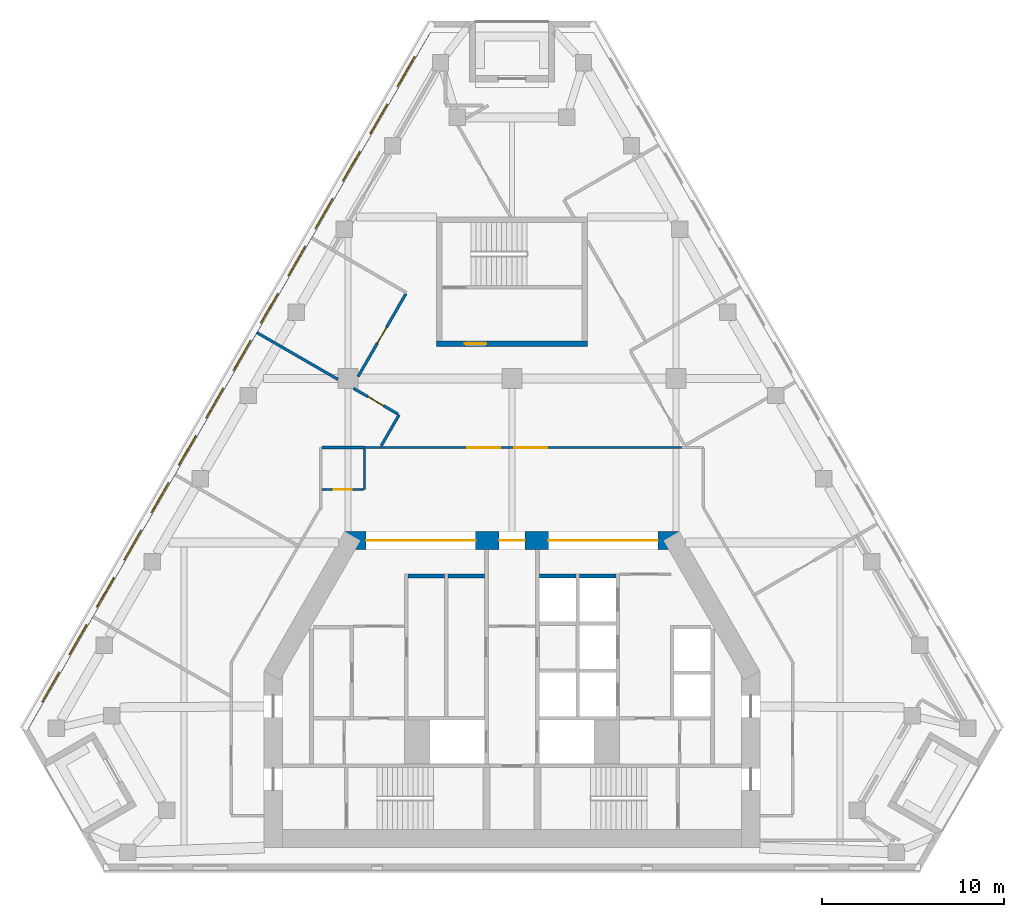
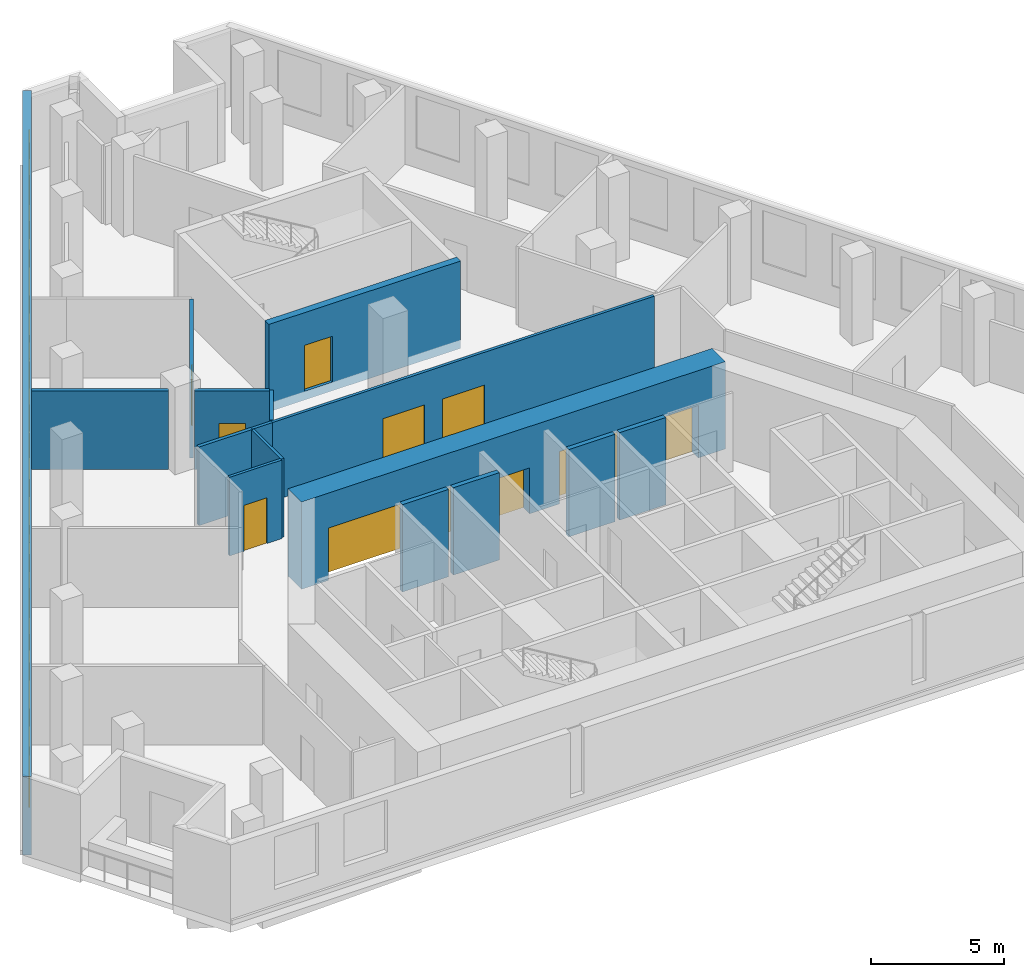
# One storey, part 4 of 8: 16 walls, 14 windows, 9 doors, 23 openings.
"""IFC4 building model written with IfcOpenShell, lengths in metres."""

from ifc_helpers import new_model, si_unit, direction, frame, frame_2d, origin, place, context, subcontext, project, spatial, rectangle, extrude, material, layer, layer_set, type_object, element, fill, save


model = new_model("IFC4")

# Units and contexts
model_context = context("Model", 3, precision=1e-05, world=origin(), true_north=direction((0.0, 1.0)))
body_context = subcontext(model_context, "Body", "Model", "MODEL_VIEW")
ifc_project = project(units=[si_unit("LENGTHUNIT", "METRE"), si_unit("AREAUNIT", "SQUARE_METRE"), si_unit("VOLUMEUNIT", "CUBIC_METRE"), si_unit("PLANEANGLEUNIT", "RADIAN"), si_unit("MASSUNIT", "GRAM", prefix="KILO")], contexts=[model_context])

# Site, building, storey
site_placement = place(None, origin())
site = spatial("IfcSite", under=ifc_project, at=site_placement, CompositionType="ELEMENT")
building_placement = place(site_placement, origin())
building = spatial("IfcBuilding", under=site, at=building_placement, Name="Fogline Exchange Tower", CompositionType="ELEMENT")
storey_placement = place(building_placement, frame((0.0, 0.0, 231.5)))
storey = spatial("IfcBuildingStorey", under=building, at=storey_placement, Name="L52", CompositionType="ELEMENT", Elevation=231.5)

# Walls
ifc_material_1 = material(Name="Concrete C40", Category="concrete")
ifc_layer_1 = layer(ifc_material_1, 0.199951171875)
ifc_layer_set_1 = layer_set([ifc_layer_1], Name="CW20S")
wall_type_1 = type_object("IfcWallType", Name="CW20S", PredefinedType="SOLIDWALL", material=ifc_layer_set_1)
for number, where, z_axis, x_axis, name in (
    (1, (-5.699951171875, 16.14990234375, -0.39990234375), (0.0, 0.0, 1.0), (1.0, 0.0, 0.0), "Lift shaft wall"),
    (2, (-3.5, 16.14990234375, -0.39990234375), (0.0, 0.0, 1.0), (1.0, 0.0, 0.0), "Lift shaft wall"),
    (3, (3.699951171875, 16.14990234375, -0.39990234375), (0.0, 0.0, 1.0), (1.0, 0.0, 0.0), "Lift shaft wall"),
    (4, (1.5, 16.14990234375, -0.39990234375), (0.0, 0.0, 1.0), (1.0, 0.0, 0.0), "Lift shaft wall"),
):
    element("IfcWall", number, at=place(storey_placement, frame(where, z_axis=z_axis, x_axis=x_axis)), inside=storey, type_object=wall_type_1, Name=name, PredefinedType="SOLIDWALL", context=body_context, shape_type="SweptSolid", body=[
        extrude(rectangle(XDim=2.0, YDim=0.199951171875, at=frame_2d((1.0, 0.0))), origin(), (0.0, 0.0, 1.0), 4.0),
    ])

# Wall, opening, door
ifc_layer_2 = layer(ifc_material_1, 0.300048828125)
ifc_layer_set_2 = layer_set([ifc_layer_2], Name="CW30")
wall_type_2 = type_object("IfcWallType", Name="CW30", PredefinedType="SOLIDWALL", material=ifc_layer_set_2)
wall_1_placement = place(storey_placement, frame((-4.14990234375, 28.906982421875, -0.39990234375), z_axis=(0.0, 0.0, 1.0), x_axis=(1.0, 0.0, 0.0)))
wall_1 = element("IfcWall", 5, at=wall_1_placement, inside=storey, type_object=wall_type_2, Name="Stair enclosure wall ST3", PredefinedType="SOLIDWALL", context=body_context, shape_type="SweptSolid", body=[
    extrude(rectangle(XDim=8.2998046875, YDim=0.300048828125, at=frame_2d((4.14990234375, 0.0))), origin(), (0.0, 0.0, 1.0), 4.0),
])
opening_1_placement = place(wall_1_placement, frame((1.550048828125, 0.0, 0.39990234375)))
opening_1 = element("IfcOpeningElement", 6, at=opening_1_placement, cuts=wall_1, Name="Opening T16-C022", PredefinedType="OPENING", context=body_context, shape_type="SweptSolid", body=[
    extrude(rectangle(XDim=1.199951171875, YDim=2.10009765625, at=frame_2d((0.60009765625, 1.050048828125))), frame((0.0, 0.16015625, 0.0), z_axis=(0.0, -1.0, 0.0), x_axis=(1.0, 0.0, 0.0)), (0.0, 0.0, 1.0), 0.320068359375),
])
ifc_material_2 = material(Name="Steel and timber fire door", Category="steel")
door_type_1 = type_object("IfcDoorType", Name="D-FR1", OperationType="SINGLE_SWING_RIGHT", PredefinedType="DOOR", material=ifc_material_2)
door_1_placement = place(opening_1_placement, origin())
door_1 = element("IfcDoor", 7, at=door_1_placement, inside=storey, type_object=door_type_1, Name="Front room door ST3", OperationType="SINGLE_SWING_LEFT", OverallHeight=2.10009765625, OverallWidth=1.199951171875, PredefinedType="DOOR", context=body_context, shape_type="SweptSolid", body=[
    extrude(rectangle(XDim=1.199951171875, YDim=2.10009765625, at=frame_2d((0.60009765625, 1.050048828125))), frame((0.0, 0.02490234375, 0.0), z_axis=(0.0, -1.0, 0.0), x_axis=(1.0, 0.0, 0.0)), (0.0, 0.0, 1.0), 0.050048828125),
])
fill(opening_1, door_1)

# Wall, openings, windows
ifc_material_3 = material(Name="Brick masonry", Category="masonry")
ifc_layer_3 = layer(ifc_material_3, 0.340087890625)
ifc_layer_set_3 = layer_set([ifc_layer_3], Name="FW1")
wall_type_3 = type_object("IfcWallType", Name="FW1", PredefinedType="SOLIDWALL", material=ifc_layer_set_3)
wall_2_placement = place(storey_placement, frame((-4.352783203125, 46.53173828125, 0.0), z_axis=(0.0, 0.0, 1.0), x_axis=(-0.499997926022, -0.866026601193, 0.0)))
wall_2 = element("IfcWall", 8, at=wall_2_placement, inside=storey, type_object=wall_type_3, Name="Brick wall L52 W", PredefinedType="SOLIDWALL", context=body_context, shape_type="SweptSolid", body=[
    extrude(rectangle(XDim=44.828369140625, YDim=0.340087890625, at=frame_2d((22.4140625, 0.0))), origin(), (0.0, 0.0, 1.0), 3.60009765625),
])
opening_2_placement = place(wall_2_placement, frame((2.12109375, 0.0, 0.89990234375)))
opening_2 = element("IfcOpeningElement", 9, at=opening_2_placement, cuts=wall_2, Name="Opening W1", PredefinedType="OPENING", context=body_context, shape_type="SweptSolid", body=[
    extrude(rectangle(XDim=1.885009765625, YDim=2.39990234375, at=frame_2d((0.9423828125, 1.199951171875))), frame((0.0, 0.18017578125, 0.0), z_axis=(0.0, -1.0, 0.0), x_axis=(1.0, 0.0, 0.0)), (0.0, 0.0, 1.0), 0.360107421875),
])
opening_3_placement = place(wall_2_placement, frame((5.12109375, 0.0, 0.89990234375)))
opening_3 = element("IfcOpeningElement", 10, at=opening_3_placement, cuts=wall_2, Name="Opening W1", PredefinedType="OPENING", context=body_context, shape_type="SweptSolid", body=[
    extrude(rectangle(XDim=1.885009765625, YDim=2.39990234375, at=frame_2d((0.9423828125, 1.199951171875))), frame((0.0, 0.18017578125, 0.0), z_axis=(0.0, -1.0, 0.0), x_axis=(1.0, 0.0, 0.0)), (0.0, 0.0, 1.0), 0.360107421875),
])
opening_4_placement = place(wall_2_placement, frame((8.12109375, 0.0, 0.89990234375)))
opening_4 = element("IfcOpeningElement", 11, at=opening_4_placement, cuts=wall_2, Name="Opening W1", PredefinedType="OPENING", context=body_context, shape_type="SweptSolid", body=[
    extrude(rectangle(XDim=1.885009765625, YDim=2.39990234375, at=frame_2d((0.9423828125, 1.199951171875))), frame((0.0, 0.18017578125, 0.0), z_axis=(0.0, -1.0, 0.0), x_axis=(1.0, 0.0, 0.0)), (0.0, 0.0, 1.0), 0.360107421875),
])
opening_5_placement = place(wall_2_placement, frame((11.12109375, 0.0, 0.89990234375)))
opening_5 = element("IfcOpeningElement", 12, at=opening_5_placement, cuts=wall_2, Name="Opening W1", PredefinedType="OPENING", context=body_context, shape_type="SweptSolid", body=[
    extrude(rectangle(XDim=1.885009765625, YDim=2.39990234375, at=frame_2d((0.9423828125, 1.199951171875))), frame((0.0, 0.18017578125, 0.0), z_axis=(0.0, -1.0, 0.0), x_axis=(1.0, 0.0, 0.0)), (0.0, 0.0, 1.0), 0.360107421875),
])
opening_6_placement = place(wall_2_placement, frame((14.12109375, 0.0, 0.89990234375)))
opening_6 = element("IfcOpeningElement", 13, at=opening_6_placement, cuts=wall_2, Name="Opening W1", PredefinedType="OPENING", context=body_context, shape_type="SweptSolid", body=[
    extrude(rectangle(XDim=1.885009765625, YDim=2.39990234375, at=frame_2d((0.9423828125, 1.199951171875))), frame((0.0, 0.18017578125, 0.0), z_axis=(0.0, -1.0, 0.0), x_axis=(1.0, 0.0, 0.0)), (0.0, 0.0, 1.0), 0.360107421875),
])
opening_7_placement = place(wall_2_placement, frame((17.12109375, 0.0, 0.89990234375)))
opening_7 = element("IfcOpeningElement", 14, at=opening_7_placement, cuts=wall_2, Name="Opening W1", PredefinedType="OPENING", context=body_context, shape_type="SweptSolid", body=[
    extrude(rectangle(XDim=1.885009765625, YDim=2.39990234375, at=frame_2d((0.9423828125, 1.199951171875))), frame((0.0, 0.18017578125, 0.0), z_axis=(0.0, -1.0, 0.0), x_axis=(1.0, 0.0, 0.0)), (0.0, 0.0, 1.0), 0.360107421875),
])
opening_8_placement = place(wall_2_placement, frame((20.12109375, 0.0, 0.89990234375)))
opening_8 = element("IfcOpeningElement", 15, at=opening_8_placement, cuts=wall_2, Name="Opening W1", PredefinedType="OPENING", context=body_context, shape_type="SweptSolid", body=[
    extrude(rectangle(XDim=1.885009765625, YDim=2.39990234375, at=frame_2d((0.9423828125, 1.199951171875))), frame((0.0, 0.18017578125, 0.0), z_axis=(0.0, -1.0, 0.0), x_axis=(1.0, 0.0, 0.0)), (0.0, 0.0, 1.0), 0.360107421875),
])
opening_9_placement = place(wall_2_placement, frame((23.12109375, 0.0, 0.89990234375)))
opening_9 = element("IfcOpeningElement", 16, at=opening_9_placement, cuts=wall_2, Name="Opening W1", PredefinedType="OPENING", context=body_context, shape_type="SweptSolid", body=[
    extrude(rectangle(XDim=1.885009765625, YDim=2.39990234375, at=frame_2d((0.9423828125, 1.199951171875))), frame((0.0, 0.18017578125, 0.0), z_axis=(0.0, -1.0, 0.0), x_axis=(1.0, 0.0, 0.0)), (0.0, 0.0, 1.0), 0.360107421875),
])
opening_10_placement = place(wall_2_placement, frame((26.12109375, 0.0, 0.89990234375)))
opening_10 = element("IfcOpeningElement", 17, at=opening_10_placement, cuts=wall_2, Name="Opening W1", PredefinedType="OPENING", context=body_context, shape_type="SweptSolid", body=[
    extrude(rectangle(XDim=1.885009765625, YDim=2.39990234375, at=frame_2d((0.9423828125, 1.199951171875))), frame((0.0, 0.18017578125, 0.0), z_axis=(0.0, -1.0, 0.0), x_axis=(1.0, 0.0, 0.0)), (0.0, 0.0, 1.0), 0.360107421875),
])
opening_11_placement = place(wall_2_placement, frame((29.12109375, 0.0, 0.89990234375)))
opening_11 = element("IfcOpeningElement", 18, at=opening_11_placement, cuts=wall_2, Name="Opening W1", PredefinedType="OPENING", context=body_context, shape_type="SweptSolid", body=[
    extrude(rectangle(XDim=1.885009765625, YDim=2.39990234375, at=frame_2d((0.9423828125, 1.199951171875))), frame((0.0, 0.18017578125, 0.0), z_axis=(0.0, -1.0, 0.0), x_axis=(1.0, 0.0, 0.0)), (0.0, 0.0, 1.0), 0.360107421875),
])
opening_12_placement = place(wall_2_placement, frame((32.12109375, 0.0, 0.89990234375)))
opening_12 = element("IfcOpeningElement", 19, at=opening_12_placement, cuts=wall_2, Name="Opening W1", PredefinedType="OPENING", context=body_context, shape_type="SweptSolid", body=[
    extrude(rectangle(XDim=1.885009765625, YDim=2.39990234375, at=frame_2d((0.9423828125, 1.199951171875))), frame((0.0, 0.18017578125, 0.0), z_axis=(0.0, -1.0, 0.0), x_axis=(1.0, 0.0, 0.0)), (0.0, 0.0, 1.0), 0.360107421875),
])
opening_13_placement = place(wall_2_placement, frame((35.12109375, 0.0, 0.89990234375)))
opening_13 = element("IfcOpeningElement", 20, at=opening_13_placement, cuts=wall_2, Name="Opening W1", PredefinedType="OPENING", context=body_context, shape_type="SweptSolid", body=[
    extrude(rectangle(XDim=1.885009765625, YDim=2.39990234375, at=frame_2d((0.9423828125, 1.199951171875))), frame((0.0, 0.18017578125, 0.0), z_axis=(0.0, -1.0, 0.0), x_axis=(1.0, 0.0, 0.0)), (0.0, 0.0, 1.0), 0.360107421875),
])
opening_14_placement = place(wall_2_placement, frame((38.12109375, 0.0, 0.89990234375)))
opening_14 = element("IfcOpeningElement", 21, at=opening_14_placement, cuts=wall_2, Name="Opening W1", PredefinedType="OPENING", context=body_context, shape_type="SweptSolid", body=[
    extrude(rectangle(XDim=1.885009765625, YDim=2.39990234375, at=frame_2d((0.9423828125, 1.199951171875))), frame((0.0, 0.18017578125, 0.0), z_axis=(0.0, -1.0, 0.0), x_axis=(1.0, 0.0, 0.0)), (0.0, 0.0, 1.0), 0.360107421875),
])
opening_15_placement = place(wall_2_placement, frame((41.12109375, 0.0, 0.89990234375)))
opening_15 = element("IfcOpeningElement", 22, at=opening_15_placement, cuts=wall_2, Name="Opening W1", PredefinedType="OPENING", context=body_context, shape_type="SweptSolid", body=[
    extrude(rectangle(XDim=1.885009765625, YDim=2.39990234375, at=frame_2d((0.9423828125, 1.199951171875))), frame((0.0, 0.18017578125, 0.0), z_axis=(0.0, -1.0, 0.0), x_axis=(1.0, 0.0, 0.0)), (0.0, 0.0, 1.0), 0.360107421875),
])
ifc_material_4 = material(Name="Aluminium and glass", Category="aluminium")
window_type = type_object("IfcWindowType", Name="W1", PartitioningType="SINGLE_PANEL", PredefinedType="WINDOW", material=ifc_material_4)
window_1_placement = place(opening_2_placement, origin())
window_1 = element("IfcWindow", 23, at=window_1_placement, inside=storey, type_object=window_type, Name="W1 W1", OverallHeight=2.39990234375, OverallWidth=1.885009765625, PartitioningType="SINGLE_PANEL", PredefinedType="WINDOW", context=body_context, shape_type="SweptSolid", body=[
    extrude(rectangle(XDim=1.885009765625, YDim=2.39990234375, at=frame_2d((0.9423828125, 1.199951171875))), frame((0.0, 0.110107421875, 0.0), z_axis=(0.0, -1.0, 0.0), x_axis=(1.0, 0.0, 0.0)), (0.0, 0.0, 1.0), 0.06005859375),
])
fill(opening_2, window_1)
window_2_placement = place(opening_3_placement, origin())
window_2 = element("IfcWindow", 24, at=window_2_placement, inside=storey, type_object=window_type, Name="W1 W1", OverallHeight=2.39990234375, OverallWidth=1.885009765625, PartitioningType="SINGLE_PANEL", PredefinedType="WINDOW", context=body_context, shape_type="SweptSolid", body=[
    extrude(rectangle(XDim=1.885009765625, YDim=2.39990234375, at=frame_2d((0.9423828125, 1.199951171875))), frame((0.0, 0.110107421875, 0.0), z_axis=(0.0, -1.0, 0.0), x_axis=(1.0, 0.0, 0.0)), (0.0, 0.0, 1.0), 0.06005859375),
])
fill(opening_3, window_2)
window_3_placement = place(opening_4_placement, origin())
window_3 = element("IfcWindow", 25, at=window_3_placement, inside=storey, type_object=window_type, Name="W1 W1", OverallHeight=2.39990234375, OverallWidth=1.885009765625, PartitioningType="SINGLE_PANEL", PredefinedType="WINDOW", context=body_context, shape_type="SweptSolid", body=[
    extrude(rectangle(XDim=1.885009765625, YDim=2.39990234375, at=frame_2d((0.9423828125, 1.199951171875))), frame((0.0, 0.110107421875, 0.0), z_axis=(0.0, -1.0, 0.0), x_axis=(1.0, 0.0, 0.0)), (0.0, 0.0, 1.0), 0.06005859375),
])
fill(opening_4, window_3)
window_4_placement = place(opening_5_placement, origin())
window_4 = element("IfcWindow", 26, at=window_4_placement, inside=storey, type_object=window_type, Name="W1 W1", OverallHeight=2.39990234375, OverallWidth=1.885009765625, PartitioningType="SINGLE_PANEL", PredefinedType="WINDOW", context=body_context, shape_type="SweptSolid", body=[
    extrude(rectangle(XDim=1.885009765625, YDim=2.39990234375, at=frame_2d((0.9423828125, 1.199951171875))), frame((0.0, 0.110107421875, 0.0), z_axis=(0.0, -1.0, 0.0), x_axis=(1.0, 0.0, 0.0)), (0.0, 0.0, 1.0), 0.06005859375),
])
fill(opening_5, window_4)
window_5_placement = place(opening_6_placement, origin())
window_5 = element("IfcWindow", 27, at=window_5_placement, inside=storey, type_object=window_type, Name="W1 W1", OverallHeight=2.39990234375, OverallWidth=1.885009765625, PartitioningType="SINGLE_PANEL", PredefinedType="WINDOW", context=body_context, shape_type="SweptSolid", body=[
    extrude(rectangle(XDim=1.885009765625, YDim=2.39990234375, at=frame_2d((0.9423828125, 1.199951171875))), frame((0.0, 0.110107421875, 0.0), z_axis=(0.0, -1.0, 0.0), x_axis=(1.0, 0.0, 0.0)), (0.0, 0.0, 1.0), 0.06005859375),
])
fill(opening_6, window_5)
window_6_placement = place(opening_7_placement, origin())
window_6 = element("IfcWindow", 28, at=window_6_placement, inside=storey, type_object=window_type, Name="W1 W1", OverallHeight=2.39990234375, OverallWidth=1.885009765625, PartitioningType="SINGLE_PANEL", PredefinedType="WINDOW", context=body_context, shape_type="SweptSolid", body=[
    extrude(rectangle(XDim=1.885009765625, YDim=2.39990234375, at=frame_2d((0.9423828125, 1.199951171875))), frame((0.0, 0.110107421875, 0.0), z_axis=(0.0, -1.0, 0.0), x_axis=(1.0, 0.0, 0.0)), (0.0, 0.0, 1.0), 0.06005859375),
])
fill(opening_7, window_6)
window_7_placement = place(opening_8_placement, origin())
window_7 = element("IfcWindow", 29, at=window_7_placement, inside=storey, type_object=window_type, Name="W1 W1", OverallHeight=2.39990234375, OverallWidth=1.885009765625, PartitioningType="SINGLE_PANEL", PredefinedType="WINDOW", context=body_context, shape_type="SweptSolid", body=[
    extrude(rectangle(XDim=1.885009765625, YDim=2.39990234375, at=frame_2d((0.9423828125, 1.199951171875))), frame((0.0, 0.110107421875, 0.0), z_axis=(0.0, -1.0, 0.0), x_axis=(1.0, 0.0, 0.0)), (0.0, 0.0, 1.0), 0.06005859375),
])
fill(opening_8, window_7)
window_8_placement = place(opening_9_placement, origin())
window_8 = element("IfcWindow", 30, at=window_8_placement, inside=storey, type_object=window_type, Name="W1 W1", OverallHeight=2.39990234375, OverallWidth=1.885009765625, PartitioningType="SINGLE_PANEL", PredefinedType="WINDOW", context=body_context, shape_type="SweptSolid", body=[
    extrude(rectangle(XDim=1.885009765625, YDim=2.39990234375, at=frame_2d((0.9423828125, 1.199951171875))), frame((0.0, 0.110107421875, 0.0), z_axis=(0.0, -1.0, 0.0), x_axis=(1.0, 0.0, 0.0)), (0.0, 0.0, 1.0), 0.06005859375),
])
fill(opening_9, window_8)
window_9_placement = place(opening_10_placement, origin())
window_9 = element("IfcWindow", 31, at=window_9_placement, inside=storey, type_object=window_type, Name="W1 W1", OverallHeight=2.39990234375, OverallWidth=1.885009765625, PartitioningType="SINGLE_PANEL", PredefinedType="WINDOW", context=body_context, shape_type="SweptSolid", body=[
    extrude(rectangle(XDim=1.885009765625, YDim=2.39990234375, at=frame_2d((0.9423828125, 1.199951171875))), frame((0.0, 0.110107421875, 0.0), z_axis=(0.0, -1.0, 0.0), x_axis=(1.0, 0.0, 0.0)), (0.0, 0.0, 1.0), 0.06005859375),
])
fill(opening_10, window_9)
window_10_placement = place(opening_11_placement, origin())
window_10 = element("IfcWindow", 32, at=window_10_placement, inside=storey, type_object=window_type, Name="W1 W1", OverallHeight=2.39990234375, OverallWidth=1.885009765625, PartitioningType="SINGLE_PANEL", PredefinedType="WINDOW", context=body_context, shape_type="SweptSolid", body=[
    extrude(rectangle(XDim=1.885009765625, YDim=2.39990234375, at=frame_2d((0.9423828125, 1.199951171875))), frame((0.0, 0.110107421875, 0.0), z_axis=(0.0, -1.0, 0.0), x_axis=(1.0, 0.0, 0.0)), (0.0, 0.0, 1.0), 0.06005859375),
])
fill(opening_11, window_10)
window_11_placement = place(opening_12_placement, origin())
window_11 = element("IfcWindow", 33, at=window_11_placement, inside=storey, type_object=window_type, Name="W1 W1", OverallHeight=2.39990234375, OverallWidth=1.885009765625, PartitioningType="SINGLE_PANEL", PredefinedType="WINDOW", context=body_context, shape_type="SweptSolid", body=[
    extrude(rectangle(XDim=1.885009765625, YDim=2.39990234375, at=frame_2d((0.9423828125, 1.199951171875))), frame((0.0, 0.110107421875, 0.0), z_axis=(0.0, -1.0, 0.0), x_axis=(1.0, 0.0, 0.0)), (0.0, 0.0, 1.0), 0.06005859375),
])
fill(opening_12, window_11)
window_12_placement = place(opening_13_placement, origin())
window_12 = element("IfcWindow", 34, at=window_12_placement, inside=storey, type_object=window_type, Name="W1 W1", OverallHeight=2.39990234375, OverallWidth=1.885009765625, PartitioningType="SINGLE_PANEL", PredefinedType="WINDOW", context=body_context, shape_type="SweptSolid", body=[
    extrude(rectangle(XDim=1.885009765625, YDim=2.39990234375, at=frame_2d((0.9423828125, 1.199951171875))), frame((0.0, 0.110107421875, 0.0), z_axis=(0.0, -1.0, 0.0), x_axis=(1.0, 0.0, 0.0)), (0.0, 0.0, 1.0), 0.06005859375),
])
fill(opening_13, window_12)
window_13_placement = place(opening_14_placement, origin())
window_13 = element("IfcWindow", 35, at=window_13_placement, inside=storey, type_object=window_type, Name="W1 W1", OverallHeight=2.39990234375, OverallWidth=1.885009765625, PartitioningType="SINGLE_PANEL", PredefinedType="WINDOW", context=body_context, shape_type="SweptSolid", body=[
    extrude(rectangle(XDim=1.885009765625, YDim=2.39990234375, at=frame_2d((0.9423828125, 1.199951171875))), frame((0.0, 0.110107421875, 0.0), z_axis=(0.0, -1.0, 0.0), x_axis=(1.0, 0.0, 0.0)), (0.0, 0.0, 1.0), 0.06005859375),
])
fill(opening_14, window_13)
window_14_placement = place(opening_15_placement, origin())
window_14 = element("IfcWindow", 36, at=window_14_placement, inside=storey, type_object=window_type, Name="W1 W1", OverallHeight=2.39990234375, OverallWidth=1.885009765625, PartitioningType="SINGLE_PANEL", PredefinedType="WINDOW", context=body_context, shape_type="SweptSolid", body=[
    extrude(rectangle(XDim=1.885009765625, YDim=2.39990234375, at=frame_2d((0.9423828125, 1.199951171875))), frame((0.0, 0.110107421875, 0.0), z_axis=(0.0, -1.0, 0.0), x_axis=(1.0, 0.0, 0.0)), (0.0, 0.0, 1.0), 0.06005859375),
])
fill(opening_15, window_14)

# Wall, openings, doors
ifc_material_5 = material(Name="Plasterboard corridor partition with mineral wool, 2 layers each side")
ifc_layer_4 = layer(ifc_material_5, 0.125)
ifc_layer_set_4 = layer_set([ifc_layer_4], Name="PW2")
wall_type_4 = type_object("IfcWallType", Name="PW2", PredefinedType="PARTITIONING", material=ifc_layer_set_4)
wall_3_placement = place(storey_placement, frame((-7.234619140625, 23.199951171875, 0.0), z_axis=(0.0, 0.0, 1.0), x_axis=(1.0, 0.0, 0.0)))
wall_3 = element("IfcWall", 37, at=wall_3_placement, inside=storey, type_object=wall_type_4, Name="wall-L52-W007", PredefinedType="PARTITIONING", context=body_context, shape_type="SweptSolid", body=[
    extrude(rectangle(XDim=16.533203125, YDim=0.125, at=frame_2d((8.2666015625, 0.0))), origin(), (0.0, 0.0, 1.0), 3.60009765625),
])
opening_16_placement = place(wall_3_placement, frame((4.77880859375, 0.0, 0.0)))
opening_16 = element("IfcOpeningElement", 38, at=opening_16_placement, cuts=wall_3, Name="Opening T16-D002", PredefinedType="OPENING", context=body_context, shape_type="SweptSolid", body=[
    extrude(rectangle(XDim=1.800048828125, YDim=2.10009765625, at=frame_2d((0.89990234375, 1.050048828125))), frame((0.0, 0.072509765625, 0.0), z_axis=(0.0, -1.0, 0.0), x_axis=(1.0, 0.0, 0.0)), (0.0, 0.0, 1.0), 0.14501953125),
])
opening_17_placement = place(wall_3_placement, frame((7.36669921875, 0.0, 0.0)))
opening_17 = element("IfcOpeningElement", 39, at=opening_17_placement, cuts=wall_3, Name="Opening T16-D003", PredefinedType="OPENING", context=body_context, shape_type="SweptSolid", body=[
    extrude(rectangle(XDim=1.800048828125, YDim=2.10009765625, at=frame_2d((0.89990234375, 1.050048828125))), frame((0.0, 0.072509765625, 0.0), z_axis=(0.0, -1.0, 0.0), x_axis=(1.0, 0.0, 0.0)), (0.0, 0.0, 1.0), 0.14501953125),
])
ifc_material_6 = material(Name="Fire-rated timber door leaves with steel frame", Category="steel")
door_type_2 = type_object("IfcDoorType", Name="D4", OperationType="DOUBLE_DOOR_SINGLE_SWING", PredefinedType="DOOR", material=ifc_material_6)
door_2_placement = place(opening_16_placement, frame((1.800048828125, 0.0, 0.0), z_axis=(0.0, 0.0, 1.0), x_axis=(-1.0, 0.0, 0.0)))
door_2 = element("IfcDoor", 40, at=door_2_placement, inside=storey, type_object=door_type_2, Name="door-L52-D002", OperationType="DOUBLE_DOOR_SINGLE_SWING", OverallHeight=2.10009765625, OverallWidth=1.800048828125, PredefinedType="DOOR", context=body_context, shape_type="SweptSolid", body=[
    extrude(rectangle(XDim=1.800048828125, YDim=2.10009765625, at=frame_2d((0.89990234375, 1.050048828125))), frame((0.0, 0.02490234375, 0.0), z_axis=(0.0, -1.0, 0.0), x_axis=(1.0, 0.0, 0.0)), (0.0, 0.0, 1.0), 0.050048828125),
])
fill(opening_16, door_2)
door_3_placement = place(opening_17_placement, frame((1.800048828125, 0.0, 0.0), z_axis=(0.0, 0.0, 1.0), x_axis=(-1.0, 0.0, 0.0)))
door_3 = element("IfcDoor", 41, at=door_3_placement, inside=storey, type_object=door_type_2, Name="door-L52-D003", OperationType="DOUBLE_DOOR_SINGLE_SWING", OverallHeight=2.10009765625, OverallWidth=1.800048828125, PredefinedType="DOOR", context=body_context, shape_type="SweptSolid", body=[
    extrude(rectangle(XDim=1.800048828125, YDim=2.10009765625, at=frame_2d((0.89990234375, 1.050048828125))), frame((0.0, 0.02490234375, 0.0), z_axis=(0.0, -1.0, 0.0), x_axis=(1.0, 0.0, 0.0)), (0.0, 0.0, 1.0), 0.050048828125),
])
fill(opening_17, door_3)

# Wall
wall_4_placement = place(storey_placement, frame((-8.10009765625, 23.199951171875, 0.0), z_axis=(0.0, 0.0, 1.0), x_axis=(1.0, 0.0, 0.0)))
element("IfcWall", 42, at=wall_4_placement, inside=storey, type_object=wall_type_4, Name="wall-L52-W009", PredefinedType="PARTITIONING", context=body_context, shape_type="SweptSolid", body=[
    extrude(rectangle(XDim=0.865478515625, YDim=0.125, at=frame_2d((0.4326171875, 0.0))), origin(), (0.0, 0.0, 1.0), 3.60009765625),
])

# Wall, opening, door
wall_5_placement = place(storey_placement, frame((-10.425048828125, 20.89990234375, 0.0), z_axis=(0.0, 0.0, 1.0), x_axis=(1.0, 0.0, 0.0)))
wall_5 = element("IfcWall", 43, at=wall_5_placement, inside=storey, type_object=wall_type_4, Name="wall-L52-W010", PredefinedType="PARTITIONING", context=body_context, shape_type="SweptSolid", body=[
    extrude(rectangle(XDim=2.262451171875, YDim=0.125, at=frame_2d((1.13134765625, 0.0))), origin(), (0.0, 0.0, 1.0), 3.60009765625),
])
opening_18_placement = place(wall_5_placement, frame((0.63134765625, 0.0, 0.0)))
opening_18 = element("IfcOpeningElement", 44, at=opening_18_placement, cuts=wall_5, Name="Opening T16-D004", PredefinedType="OPENING", context=body_context, shape_type="SweptSolid", body=[
    extrude(rectangle(XDim=1.0, YDim=2.10009765625, at=frame_2d((0.5, 1.050048828125))), frame((0.0, 0.072509765625, 0.0), z_axis=(0.0, -1.0, 0.0), x_axis=(1.0, 0.0, 0.0)), (0.0, 0.0, 1.0), 0.14501953125),
])
ifc_material_7 = material(Name="Fire-rated timber door leaf with steel frame", Category="steel")
door_type_3 = type_object("IfcDoorType", Name="D3", OperationType="SINGLE_SWING_LEFT", PredefinedType="DOOR", material=ifc_material_7)
door_4_placement = place(opening_18_placement, origin())
door_4 = element("IfcDoor", 45, at=door_4_placement, inside=storey, type_object=door_type_3, Name="door-L52-D004", OperationType="SINGLE_SWING_LEFT", OverallHeight=2.10009765625, OverallWidth=1.0, PredefinedType="DOOR", context=body_context, shape_type="SweptSolid", body=[
    extrude(rectangle(XDim=1.0, YDim=2.10009765625, at=frame_2d((0.5, 1.050048828125))), frame((0.0, 0.02490234375, 0.0), z_axis=(0.0, -1.0, 0.0), x_axis=(1.0, 0.0, 0.0)), (0.0, 0.0, 1.0), 0.050048828125),
])
fill(opening_18, door_4)

# Wall
wall_6_placement = place(storey_placement, frame((-8.10009765625, 20.89990234375, 0.0), z_axis=(0.0, 0.0, 1.0), x_axis=(0.0, 1.0, 0.0)))
element("IfcWall", 46, at=wall_6_placement, inside=storey, type_object=wall_type_4, Name="wall-L52-W011", PredefinedType="PARTITIONING", context=body_context, shape_type="SweptSolid", body=[
    extrude(rectangle(XDim=2.22509765625, YDim=0.125, at=frame_2d((1.112548828125, 0.0))), origin(), (0.0, 0.0, 1.0), 3.60009765625),
])

# Wall, opening, door
ifc_material_8 = material(Name="Plasterboard demising partition with mineral wool and acoustic board")
ifc_layer_5 = layer(ifc_material_8, 0.14990234375)
ifc_layer_set_5 = layer_set([ifc_layer_5], Name="PW3")
wall_type_5 = type_object("IfcWallType", Name="PW3", PredefinedType="PARTITIONING", material=ifc_layer_set_5)
wall_7_placement = place(storey_placement, frame((-8.449951171875, 27.09521484375, 0.0), z_axis=(0.0, 0.0, 1.0), x_axis=(0.500005998957, 0.866021940257, 0.0)))
wall_7 = element("IfcWall", 47, at=wall_7_placement, inside=storey, type_object=wall_type_5, Name="wall-L52-W034", PredefinedType="PARTITIONING", context=body_context, shape_type="SweptSolid", body=[
    extrude(rectangle(XDim=5.2421875, YDim=0.14990234375, at=frame_2d((2.62109375, 0.0))), origin(), (0.0, 0.0, 1.0), 3.60009765625),
])
opening_19_placement = place(wall_7_placement, frame((2.12109375, 0.0, 0.0)))
opening_19 = element("IfcOpeningElement", 48, at=opening_19_placement, cuts=wall_7, Name="Opening T16-D012", PredefinedType="OPENING", context=body_context, shape_type="SweptSolid", body=[
    extrude(rectangle(XDim=1.0, YDim=2.10009765625, at=frame_2d((0.5, 1.050048828125))), frame((0.0, 0.0849609375, 0.0), z_axis=(0.0, -1.0, 0.0), x_axis=(1.0, 0.0, 0.0)), (0.0, 0.0, 1.0), 0.169921875),
])
door_5_placement = place(opening_19_placement, origin())
door_5 = element("IfcDoor", 49, at=door_5_placement, inside=storey, type_object=door_type_3, Name="door-L52-D012", OperationType="SINGLE_SWING_LEFT", OverallHeight=2.10009765625, OverallWidth=1.0, PredefinedType="DOOR", context=body_context, shape_type="SweptSolid", body=[
    extrude(rectangle(XDim=1.0, YDim=2.10009765625, at=frame_2d((0.5, 1.050048828125))), frame((0.0, 0.02490234375, 0.0), z_axis=(0.0, -1.0, 0.0), x_axis=(1.0, 0.0, 0.0)), (0.0, 0.0, 1.0), 0.050048828125),
])
fill(opening_19, door_5)

# Wall
wall_8_placement = place(storey_placement, frame((-7.1767578125, 23.30029296875, 0.0), z_axis=(0.0, 0.0, 1.0), x_axis=(0.500023253097, 0.866011978186, 0.0)))
element("IfcWall", 50, at=wall_8_placement, inside=storey, type_object=wall_type_5, Name="wall-L52-W036", PredefinedType="PARTITIONING", context=body_context, shape_type="SweptSolid", body=[
    extrude(rectangle(XDim=1.96728515625, YDim=0.14990234375, at=frame_2d((0.983642578125, 0.0))), origin(), (0.0, 0.0, 1.0), 3.60009765625),
])

# Wall, opening, door
wall_9_placement = place(storey_placement, frame((-6.25830078125, 25.04150390625, 0.0), z_axis=(0.0, 0.0, 1.0), x_axis=(-0.866021046153, 0.500007547564, 0.0)))
wall_9 = element("IfcWall", 51, at=wall_9_placement, inside=storey, type_object=wall_type_5, Name="wall-L52-W037", PredefinedType="PARTITIONING", context=body_context, shape_type="SweptSolid", body=[
    extrude(rectangle(XDim=2.81689453125, YDim=0.14990234375, at=frame_2d((1.408447265625, 0.0))), origin(), (0.0, 0.0, 1.0), 3.60009765625),
])
opening_20_placement = place(wall_9_placement, frame((0.908447265625, 0.0, 0.0)))
opening_20 = element("IfcOpeningElement", 52, at=opening_20_placement, cuts=wall_9, Name="Opening T16-D013", PredefinedType="OPENING", context=body_context, shape_type="SweptSolid", body=[
    extrude(rectangle(XDim=1.0, YDim=2.10009765625, at=frame_2d((0.5, 1.050048828125))), frame((0.0, 0.0849609375, 0.0), z_axis=(0.0, -1.0, 0.0), x_axis=(1.0, 0.0, 0.0)), (0.0, 0.0, 1.0), 0.169921875),
])
door_6_placement = place(opening_20_placement, origin())
door_6 = element("IfcDoor", 53, at=door_6_placement, inside=storey, type_object=door_type_3, Name="door-L52-D013", OperationType="SINGLE_SWING_LEFT", OverallHeight=2.10009765625, OverallWidth=1.0, PredefinedType="DOOR", context=body_context, shape_type="SweptSolid", body=[
    extrude(rectangle(XDim=1.0, YDim=2.10009765625, at=frame_2d((0.5, 1.050048828125))), frame((0.0, 0.02490234375, 0.0), z_axis=(0.0, -1.0, 0.0), x_axis=(1.0, 0.0, 0.0)), (0.0, 0.0, 1.0), 0.050048828125),
])
fill(opening_20, door_6)

# Walls
wall_10_placement = place(storey_placement, frame((-9.550048828125, 26.94189453125, 0.0), z_axis=(0.0, 0.0, 1.0), x_axis=(-0.866011809644, 0.500023545002, 0.0)))
element("IfcWall", 54, at=wall_10_placement, inside=storey, type_object=wall_type_5, Name="wall-L52-W039", PredefinedType="PARTITIONING", context=body_context, shape_type="SweptSolid", body=[
    extrude(rectangle(XDim=5.123779296875, YDim=0.14990234375, at=frame_2d((2.56201171875, 0.0))), origin(), (0.0, 0.0, 1.0), 3.60009765625),
])
wall_11_placement = place(storey_placement, frame((-8.10009765625, 23.199951171875, 0.0), z_axis=(0.0, 0.0, 1.0), x_axis=(-1.0, 0.0, 0.0)))
element("IfcWall", 55, at=wall_11_placement, inside=storey, type_object=wall_type_5, Name="wall-L52-W040", PredefinedType="PARTITIONING", context=body_context, shape_type="SweptSolid", body=[
    extrude(rectangle(XDim=2.324951171875, YDim=0.14990234375, at=frame_2d((1.16259765625, 0.0))), origin(), (0.0, 0.0, 1.0), 3.60009765625),
])

# Wall, openings, doors
ifc_material_9 = material(Name="Concrete C60", Category="concrete")
ifc_layer_6 = layer(ifc_material_9, 1.0)
ifc_layer_set_6 = layer_set([ifc_layer_6], Name="SW03")
wall_type_6 = type_object("IfcWallType", Name="SW03", PredefinedType="SHEAR", material=ifc_layer_set_6)
wall_12_placement = place(storey_placement, frame((9.1806640625, 18.10009765625, 0.0), z_axis=(0.0, 0.0, 1.0), x_axis=(-1.0, 0.0, 0.0)))
wall_12 = element("IfcWall", 56, at=wall_12_placement, inside=storey, type_object=wall_type_6, Name="L52-W904", PredefinedType="SHEAR", context=body_context, shape_type="SweptSolid", body=[
    extrude(rectangle(XDim=18.361328125, YDim=1.0, at=frame_2d((9.1806640625, 0.0))), origin(), (0.0, 0.0, 1.0), 4.0),
])
opening_21_placement = place(wall_12_placement, frame((8.480712890625, 0.0, 0.0)))
opening_21 = element("IfcOpeningElement", 57, at=opening_21_placement, cuts=wall_12, Name="Opening T16-C019", PredefinedType="OPENING", context=body_context, shape_type="SweptSolid", body=[
    extrude(rectangle(XDim=1.39990234375, YDim=2.10009765625, at=frame_2d((0.699951171875, 1.050048828125))), frame((0.0, 0.510009765625, 0.0), z_axis=(0.0, -1.0, 0.0), x_axis=(1.0, 0.0, 0.0)), (0.0, 0.0, 1.0), 1.02001953125),
])
opening_22_placement = place(wall_12_placement, frame((11.1806640625, 0.0, 0.0)))
opening_22 = element("IfcOpeningElement", 58, at=opening_22_placement, cuts=wall_12, Name="Opening T16-C020", PredefinedType="OPENING", context=body_context, shape_type="SweptSolid", body=[
    extrude(rectangle(XDim=6.0, YDim=2.39990234375, at=frame_2d((3.0, 1.199951171875))), frame((0.0, 0.510009765625, 0.0), z_axis=(0.0, -1.0, 0.0), x_axis=(1.0, 0.0, 0.0)), (0.0, 0.0, 1.0), 1.02001953125),
])
opening_23_placement = place(wall_12_placement, frame((1.1806640625, 0.0, 0.0)))
opening_23 = element("IfcOpeningElement", 59, at=opening_23_placement, cuts=wall_12, Name="Opening T16-C021", PredefinedType="OPENING", context=body_context, shape_type="SweptSolid", body=[
    extrude(rectangle(XDim=6.0, YDim=2.39990234375, at=frame_2d((3.0, 1.199951171875))), frame((0.0, 0.510009765625, 0.0), z_axis=(0.0, -1.0, 0.0), x_axis=(1.0, 0.0, 0.0)), (0.0, 0.0, 1.0), 1.02001953125),
])
door_type_4 = type_object("IfcDoorType", Name="D-LB1", OperationType="DOUBLE_DOOR_SINGLE_SWING", PredefinedType="DOOR", material=ifc_material_2)
door_7_placement = place(opening_21_placement, origin())
door_7 = element("IfcDoor", 60, at=door_7_placement, inside=storey, type_object=door_type_4, Name="Protected lobby door", OperationType="DOUBLE_DOOR_SINGLE_SWING", OverallHeight=2.10009765625, OverallWidth=1.39990234375, PredefinedType="DOOR", context=body_context, shape_type="SweptSolid", body=[
    extrude(rectangle(XDim=1.39990234375, YDim=2.10009765625, at=frame_2d((0.699951171875, 1.050048828125))), frame((0.0, 0.02490234375, 0.0), z_axis=(0.0, -1.0, 0.0), x_axis=(1.0, 0.0, 0.0)), (0.0, 0.0, 1.0), 0.050048828125),
])
fill(opening_21, door_7)
door_type_5 = type_object("IfcDoorType", Name="D-LE1", OperationType="DOUBLE_DOOR_SLIDING", PredefinedType="DOOR", material=ifc_material_2)
door_8_placement = place(opening_22_placement, origin())
door_8 = element("IfcDoor", 61, at=door_8_placement, inside=storey, type_object=door_type_5, Name="Lift lobby entrance west", OperationType="DOUBLE_DOOR_SLIDING", OverallHeight=2.39990234375, OverallWidth=6.0, PredefinedType="DOOR", context=body_context, shape_type="SweptSolid", body=[
    extrude(rectangle(XDim=6.0, YDim=2.39990234375, at=frame_2d((3.0, 1.199951171875))), frame((0.0, 0.02490234375, 0.0), z_axis=(0.0, -1.0, 0.0), x_axis=(1.0, 0.0, 0.0)), (0.0, 0.0, 1.0), 0.050048828125),
])
fill(opening_22, door_8)
door_9_placement = place(opening_23_placement, origin())
door_9 = element("IfcDoor", 62, at=door_9_placement, inside=storey, type_object=door_type_5, Name="Lift lobby entrance east", OperationType="DOUBLE_DOOR_SLIDING", OverallHeight=2.39990234375, OverallWidth=6.0, PredefinedType="DOOR", context=body_context, shape_type="SweptSolid", body=[
    extrude(rectangle(XDim=6.0, YDim=2.39990234375, at=frame_2d((3.0, 1.199951171875))), frame((0.0, 0.02490234375, 0.0), z_axis=(0.0, -1.0, 0.0), x_axis=(1.0, 0.0, 0.0)), (0.0, 0.0, 1.0), 0.050048828125),
])
fill(opening_23, door_9)

save(model, "model.ifc")
